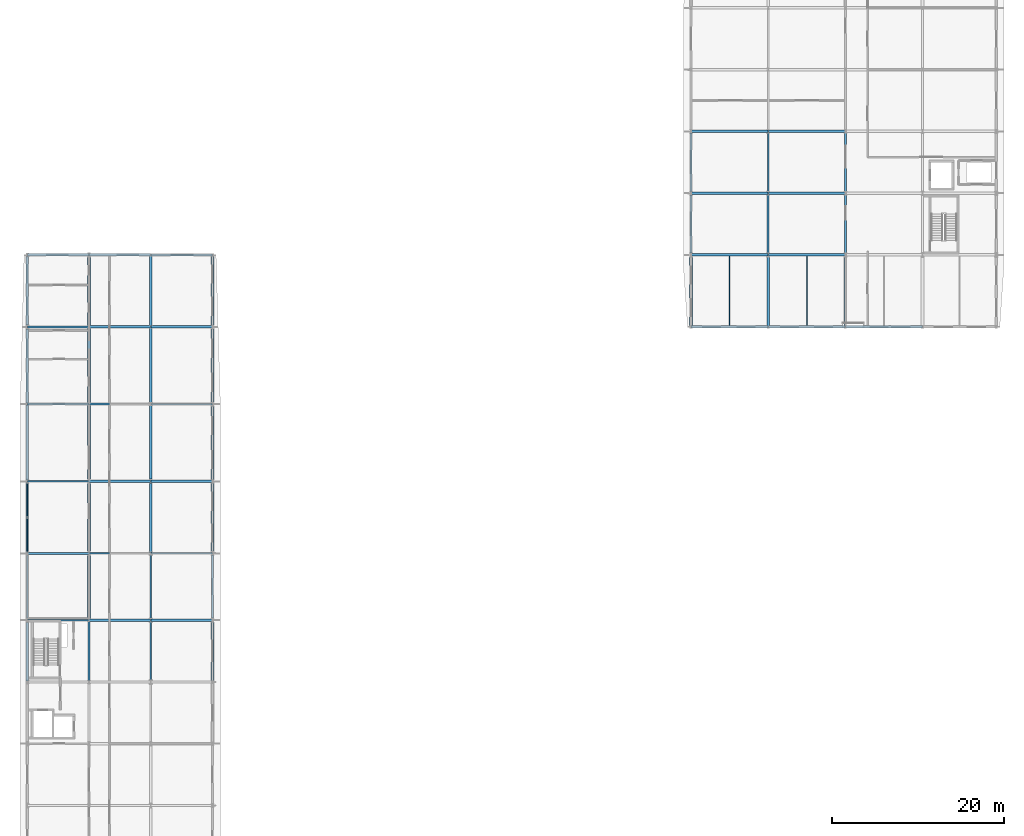
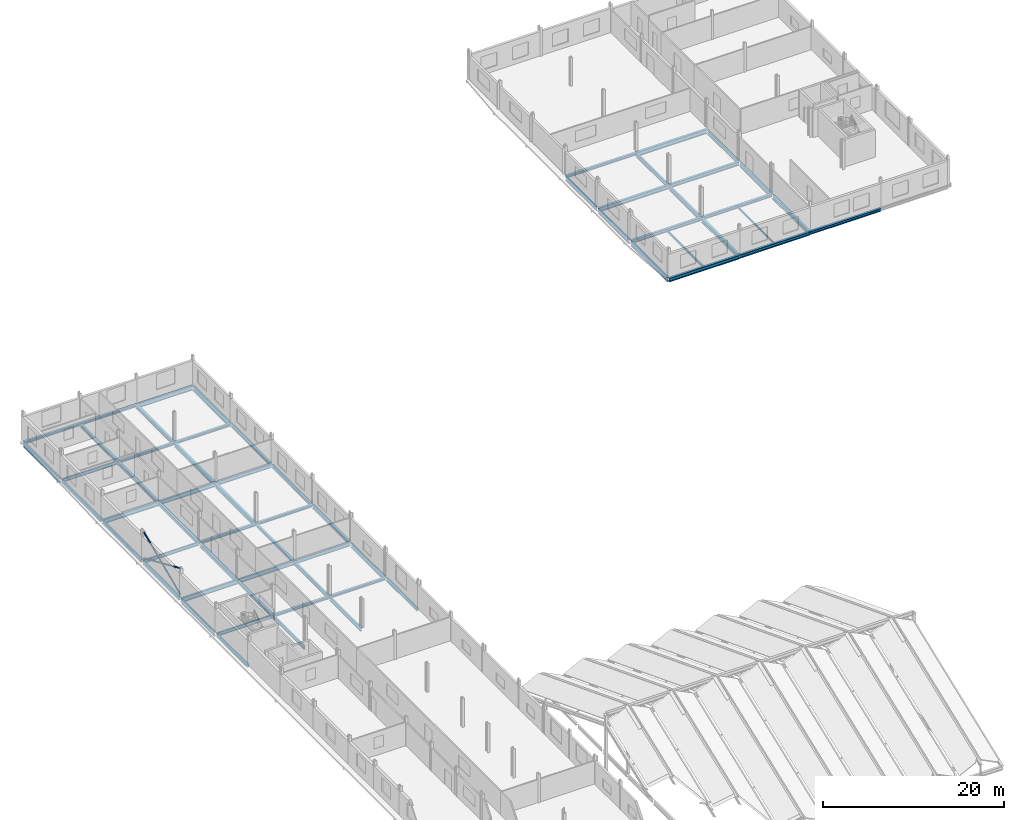
# One storey, part 24 of 49: 62 beams, 3 members.
"""IFC4 building model written with IfcOpenShell, lengths in metres."""

from ifc_helpers import new_model, si_unit, direction, frame, origin, origin_2d, place, context, subcontext, project, spatial, hollow_circle, i_section, extrude, material, material_profile, profile_set, type_object, element, save


model = new_model("IFC4")

# Units and contexts
model_context = context("Model", 3, precision=1e-05, world=origin(), true_north=direction((0.0, 1.0)))
body_context = subcontext(model_context, "Body", "Model", "MODEL_VIEW")
ifc_project = project(units=[si_unit("LENGTHUNIT", "METRE"), si_unit("AREAUNIT", "SQUARE_METRE"), si_unit("VOLUMEUNIT", "CUBIC_METRE"), si_unit("PLANEANGLEUNIT", "RADIAN"), si_unit("MASSUNIT", "GRAM", prefix="KILO")], contexts=[model_context])

# Site, building, storey
site_placement = place(None, origin())
site = spatial("IfcSite", under=ifc_project, at=site_placement, CompositionType="ELEMENT")
building_placement = place(site_placement, origin())
building = spatial("IfcBuilding", under=site, at=building_placement, Name="Vinh Khe Railworks Police Headquarters", CompositionType="ELEMENT")
storey_placement = place(building_placement, frame((0.0, 0.0, 17.10009765625)))
storey = spatial("IfcBuildingStorey", under=building, at=storey_placement, Name="L04", CompositionType="ELEMENT", Elevation=17.10009765625)

# Members
ifc_material = material(Name="Steel S355JR", Category="steel")
ifc_material_profile_1 = material_profile(ifc_material, hollow_circle(Radius=0.096923828125, WallThickness=0.010009765625, at=origin_2d()), Name="CHS 193.7x10")
ifc_profile_set_1 = profile_set([ifc_material_profile_1], Name="Steel S355JR")
member_type = type_object("IfcMemberType", Name="Concentric Brace CHS 193.7x10", PredefinedType="BRACE", material=ifc_profile_set_1)
member_placement = place(storey_placement, frame((0.60009765625, 96.14990234375, 0.199951171875), z_axis=(0.0, 0.916524501714, 0.399978546623), x_axis=(-1.0, 0.0, 0.0)))
element("IfcMember", 1, at=member_placement, inside=storey, type_object=member_type, Name="Continuous Concentric Brace MEM-BR-L04-BR-11-037", PredefinedType="BRACE", context=body_context, shape_type="SweptSolid", body=[
    extrude(hollow_circle(Radius=0.096923828125, WallThickness=0.010009765625, at=origin_2d()), origin(), (0.0, 0.0, 1.0), 8.75048828125),
])
for number, where, z_axis, x_axis, name in (
    (2, (0.60009765625, 96.14990234375, 3.699951171875), (0.0, 0.916525293333, -0.399976732674), (-1.0, 0.0, 0.0), "Split X-Brace Segment MEM-BR-L04-BR-11-038 (2A)"),
    (3, (0.60009765625, 100.252197265625, 1.90966796875), (0.0, 0.916525293333, -0.399976732674), (-1.0, 0.0, 0.0), "Split X-Brace Segment MEM-BR-L04-BR-11-039 (2B)"),
):
    element("IfcMember", number, at=place(storey_placement, frame(where, z_axis=z_axis, x_axis=x_axis)), inside=storey, type_object=member_type, Name=name, PredefinedType="BRACE", context=body_context, shape_type="SweptSolid", body=[
        extrude(hollow_circle(Radius=0.096923828125, WallThickness=0.010009765625, at=origin_2d()), origin(), (0.0, 0.0, 1.0), 4.274658203125),
    ])

# Beams
ifc_material_profile_2 = material_profile(ifc_material, i_section(OverallWidth=0.1201171875, OverallDepth=0.239990234375, WebThickness=0.006103515625, FlangeThickness=0.009765625, FilletRadius=0.014892578125, at=origin_2d()), Name="IPE 240")
ifc_profile_set_2 = profile_set([ifc_material_profile_2], Name="Steel S355JR")
beam_type_1 = type_object("IfcBeamType", Name="Secondary Joist IPE 240", PredefinedType="JOIST", material=ifc_profile_set_2)
beam_1_placement = place(storey_placement, frame((91.5, 122.550048828125, -0.320068359375), z_axis=(0.0, 1.0, 0.0), x_axis=(-1.0, 0.0, 0.0)))
element("IfcBeam", 4, at=beam_1_placement, inside=storey, type_object=beam_type_1, Name="Secondary Joist JST-L04-SJ-04-0038", PredefinedType="JOIST", context=body_context, shape_type="SweptSolid", body=[
    extrude(i_section(OverallWidth=0.1201171875, OverallDepth=0.239990234375, WebThickness=0.006103515625, FlangeThickness=0.009765625, FilletRadius=0.014892578125, at=origin_2d()), origin(), (0.0, 0.0, 1.0), 8.099853515625),
])
ifc_material_profile_3 = material_profile(ifc_material, i_section(OverallWidth=0.14990234375, OverallDepth=0.300048828125, WebThickness=0.007080078125, FlangeThickness=0.0107421875, FilletRadius=0.014892578125, at=origin_2d()), Name="IPE 300")
ifc_profile_set_3 = profile_set([ifc_material_profile_3], Name="Steel S355JR")
beam_type_2 = type_object("IfcBeamType", Name="Secondary Joist IPE 300", PredefinedType="JOIST", material=ifc_profile_set_3)
beam_2_placement = place(storey_placement, frame((82.5, 122.550048828125, -0.35009765625), z_axis=(0.0, 1.0, 0.0), x_axis=(-1.0, 0.0, 0.0)))
element("IfcBeam", 5, at=beam_2_placement, inside=storey, type_object=beam_type_2, Name="Secondary Joist JST-L04-SJ-02-0037", PredefinedType="JOIST", context=body_context, shape_type="SweptSolid", body=[
    extrude(i_section(OverallWidth=0.14990234375, OverallDepth=0.300048828125, WebThickness=0.007080078125, FlangeThickness=0.0107421875, FilletRadius=0.014892578125, at=origin_2d()), origin(), (0.0, 0.0, 1.0), 8.099853515625),
])
ifc_material_profile_4 = material_profile(ifc_material, i_section(OverallWidth=0.300048828125, OverallDepth=0.330078125, WebThickness=0.009521484375, FlangeThickness=0.0166015625, FilletRadius=0.027099609375, at=origin_2d()), Name="HEA 340")
ifc_profile_set_4 = profile_set([ifc_material_profile_4], Name="Steel S355JR")
beam_type_3 = type_object("IfcBeamType", Name="Steel Girder HEA 340", PredefinedType="BEAM", material=ifc_profile_set_4)
for number, where, z_axis, x_axis, name in (
    (6, (15.02001953125, 88.199951171875, -0.364990234375), (1.0, 0.0, 0.0), (0.0, 1.0, 0.0), "Girder BM-L04-EW-SB-16-1328"),
    (7, (15.02001953125, 104.39990234375, -0.364990234375), (1.0, 0.0, 0.0), (0.0, 1.0, 0.0), "Girder BM-L04-EW-SB-16-1334"),
    (8, (15.02001953125, 122.39990234375, -0.364990234375), (1.0, 0.0, 0.0), (0.0, 1.0, 0.0), "Girder BM-L04-EW-SB-16-1340"),
    (9, (7.820068359375, 130.800048828125, -0.364990234375), (1.0, 0.0, 0.0), (0.0, 1.0, 0.0), "Girder BM-L04-EW-SB-16-1346"),
):
    element("IfcBeam", number, at=place(storey_placement, frame(where, z_axis=z_axis, x_axis=x_axis)), inside=storey, type_object=beam_type_3, Name=name, PredefinedType="BEAM", context=body_context, shape_type="SweptSolid", body=[
        extrude(i_section(OverallWidth=0.300048828125, OverallDepth=0.330078125, WebThickness=0.009521484375, FlangeThickness=0.0166015625, FilletRadius=0.027099609375, at=origin_2d()), origin(), (0.0, 0.0, 1.0), 7.159912109375),
    ])
beam_3_placement = place(storey_placement, frame((0.60009765625, 81.125, -0.364990234375), z_axis=(0.0, 1.0, 0.0), x_axis=(-1.0, 0.0, 0.0)))
element("IfcBeam", 10, at=beam_3_placement, inside=storey, type_object=beam_type_3, Name="Girder BM-L04-NS-SB-16-1382", PredefinedType="BEAM", context=body_context, shape_type="SweptSolid", body=[
    extrude(i_section(OverallWidth=0.300048828125, OverallDepth=0.330078125, WebThickness=0.009521484375, FlangeThickness=0.0166015625, FilletRadius=0.027099609375, at=origin_2d()), origin(), (0.0, 0.0, 1.0), 6.794921875),
])
beam_4_placement = place(storey_placement, frame((22.199951171875, 81.14990234375, -0.364990234375), z_axis=(0.0, 1.0, 0.0), x_axis=(-1.0, 0.0, 0.0)))
element("IfcBeam", 11, at=beam_4_placement, inside=storey, type_object=beam_type_3, Name="Girder BM-L04-NS-SB-16-1430", PredefinedType="BEAM", context=body_context, shape_type="SweptSolid", body=[
    extrude(i_section(OverallWidth=0.300048828125, OverallDepth=0.330078125, WebThickness=0.009521484375, FlangeThickness=0.0166015625, FilletRadius=0.027099609375, at=origin_2d()), origin(), (0.0, 0.0, 1.0), 6.820068359375),
])
ifc_material_profile_5 = material_profile(ifc_material, i_section(OverallWidth=0.300048828125, OverallDepth=0.35009765625, WebThickness=0.010009765625, FlangeThickness=0.017578125, FilletRadius=0.027099609375, at=origin_2d()), Name="HEA 360")
ifc_profile_set_5 = profile_set([ifc_material_profile_5], Name="Steel S355JR")
beam_type_4 = type_object("IfcBeamType", Name="Steel Girder HEA 360", PredefinedType="BEAM", material=ifc_profile_set_5)
for number, where, z_axis, x_axis, name in (
    (12, (7.820068359375, 88.199951171875, -0.375), (1.0, 0.0, 0.0), (0.0, 1.0, 0.0), "Girder BM-L04-EW-SB-15-1327"),
    (13, (7.820068359375, 104.39990234375, -0.375), (1.0, 0.0, 0.0), (0.0, 1.0, 0.0), "Girder BM-L04-EW-SB-15-1333"),
    (14, (7.820068359375, 122.39990234375, -0.375), (1.0, 0.0, 0.0), (0.0, 1.0, 0.0), "Girder BM-L04-EW-SB-15-1339"),
    (15, (0.6201171875, 130.800048828125, -0.375), (1.0, 0.0, 0.0), (0.0, 1.0, 0.0), "Girder BM-L04-EW-SB-15-1345"),
):
    element("IfcBeam", number, at=place(storey_placement, frame(where, z_axis=z_axis, x_axis=x_axis)), inside=storey, type_object=beam_type_4, Name=name, PredefinedType="BEAM", context=body_context, shape_type="SweptSolid", body=[
        extrude(i_section(OverallWidth=0.300048828125, OverallDepth=0.35009765625, WebThickness=0.010009765625, FlangeThickness=0.017578125, FilletRadius=0.027099609375, at=origin_2d()), origin(), (0.0, 0.0, 1.0), 7.159912109375),
    ])
beam_5_placement = place(storey_placement, frame((78.02001953125, 145.199951171875, -0.375), z_axis=(1.0, 0.0, 0.0), x_axis=(0.0, 1.0, 0.0)))
element("IfcBeam", 16, at=beam_5_placement, inside=storey, type_object=beam_type_4, Name="Girder BM-L04-EW-SB-15-1356", PredefinedType="BEAM", context=body_context, shape_type="SweptSolid", body=[
    extrude(i_section(OverallWidth=0.300048828125, OverallDepth=0.35009765625, WebThickness=0.010009765625, FlangeThickness=0.017578125, FilletRadius=0.027099609375, at=origin_2d()), origin(), (0.0, 0.0, 1.0), 8.9599609375),
])
beam_6_placement = place(storey_placement, frame((0.60009765625, 113.510009765625, -0.375), z_axis=(0.0, 1.0, 0.0), x_axis=(-1.0, 0.0, 0.0)))
element("IfcBeam", 17, at=beam_6_placement, inside=storey, type_object=beam_type_4, Name="Girder BM-L04-NS-SB-15-1386", PredefinedType="BEAM", context=body_context, shape_type="SweptSolid", body=[
    extrude(i_section(OverallWidth=0.300048828125, OverallDepth=0.35009765625, WebThickness=0.010009765625, FlangeThickness=0.017578125, FilletRadius=0.027099609375, at=origin_2d()), origin(), (0.0, 0.0, 1.0), 8.6650390625),
])
beam_7_placement = place(storey_placement, frame((7.800048828125, 88.324951171875, -0.375), z_axis=(0.0, 1.0, 0.0), x_axis=(-1.0, 0.0, 0.0)))
element("IfcBeam", 18, at=beam_7_placement, inside=storey, type_object=beam_type_4, Name="Girder BM-L04-NS-SB-15-1399", PredefinedType="BEAM", context=body_context, shape_type="SweptSolid", body=[
    extrude(i_section(OverallWidth=0.300048828125, OverallDepth=0.35009765625, WebThickness=0.010009765625, FlangeThickness=0.017578125, FilletRadius=0.027099609375, at=origin_2d()), origin(), (0.0, 0.0, 1.0), 7.39501953125),
])
beam_8_placement = place(storey_placement, frame((15.0, 96.125, -0.375), z_axis=(0.0, 1.0, 0.0), x_axis=(-1.0, 0.0, 0.0)))
element("IfcBeam", 19, at=beam_8_placement, inside=storey, type_object=beam_type_4, Name="Girder BM-L04-NS-SB-15-1416", PredefinedType="BEAM", context=body_context, shape_type="SweptSolid", body=[
    extrude(i_section(OverallWidth=0.300048828125, OverallDepth=0.35009765625, WebThickness=0.010009765625, FlangeThickness=0.017578125, FilletRadius=0.027099609375, at=origin_2d()), origin(), (0.0, 0.0, 1.0), 7.9951171875),
])
beam_9_placement = place(storey_placement, frame((22.199951171875, 113.60009765625, -0.375), z_axis=(0.0, 1.0, 0.0), x_axis=(-1.0, 0.0, 0.0)))
element("IfcBeam", 20, at=beam_9_placement, inside=storey, type_object=beam_type_4, Name="Girder BM-L04-NS-SB-15-1434", PredefinedType="BEAM", context=body_context, shape_type="SweptSolid", body=[
    extrude(i_section(OverallWidth=0.300048828125, OverallDepth=0.35009765625, WebThickness=0.010009765625, FlangeThickness=0.017578125, FilletRadius=0.027099609375, at=origin_2d()), origin(), (0.0, 0.0, 1.0), 8.625),
])
ifc_material_profile_6 = material_profile(ifc_material, i_section(OverallWidth=0.300048828125, OverallDepth=0.389892578125, WebThickness=0.010986328125, FlangeThickness=0.01904296875, FilletRadius=0.027099609375, at=origin_2d()), Name="HEA 400")
ifc_profile_set_6 = profile_set([ifc_material_profile_6], Name="Steel S355JR")
beam_type_5 = type_object("IfcBeamType", Name="Steel Girder HEA 400", PredefinedType="BEAM", material=ifc_profile_set_6)
for number, where, z_axis, x_axis, name in (
    (21, (96.02001953125, 122.39990234375, -0.39501953125), (1.0, 0.0, 0.0), (0.0, 1.0, 0.0), "Girder BM-L04-EW-SB-14-1343"),
    (22, (87.02001953125, 130.800048828125, -0.39501953125), (1.0, 0.0, 0.0), (0.0, 1.0, 0.0), "Girder BM-L04-EW-SB-14-1349"),
):
    element("IfcBeam", number, at=place(storey_placement, frame(where, z_axis=z_axis, x_axis=x_axis)), inside=storey, type_object=beam_type_5, Name=name, PredefinedType="BEAM", context=body_context, shape_type="SweptSolid", body=[
        extrude(i_section(OverallWidth=0.300048828125, OverallDepth=0.389892578125, WebThickness=0.010986328125, FlangeThickness=0.01904296875, FilletRadius=0.027099609375, at=origin_2d()), origin(), (0.0, 0.0, 1.0), 8.9599609375),
    ])
beam_10_placement = place(storey_placement, frame((0.60009765625, 104.550048828125, -0.39501953125), z_axis=(0.0, 1.0, 0.0), x_axis=(-1.0, 0.0, 0.0)))
element("IfcBeam", 23, at=beam_10_placement, inside=storey, type_object=beam_type_5, Name="Girder BM-L04-NS-SB-14-1385", PredefinedType="BEAM", context=body_context, shape_type="SweptSolid", body=[
    extrude(i_section(OverallWidth=0.300048828125, OverallDepth=0.389892578125, WebThickness=0.010986328125, FlangeThickness=0.01904296875, FilletRadius=0.027099609375, at=origin_2d()), origin(), (0.0, 0.0, 1.0), 8.739990234375),
])
beam_11_placement = place(storey_placement, frame((7.800048828125, 122.510009765625, -0.39501953125), z_axis=(0.0, 1.0, 0.0), x_axis=(-1.0, 0.0, 0.0)))
element("IfcBeam", 24, at=beam_11_placement, inside=storey, type_object=beam_type_5, Name="Girder BM-L04-NS-SB-14-1403", PredefinedType="BEAM", context=body_context, shape_type="SweptSolid", body=[
    extrude(i_section(OverallWidth=0.300048828125, OverallDepth=0.389892578125, WebThickness=0.010986328125, FlangeThickness=0.01904296875, FilletRadius=0.027099609375, at=origin_2d()), origin(), (0.0, 0.0, 1.0), 8.06494140625),
])
beam_12_placement = place(storey_placement, frame((22.199951171875, 104.580078125, -0.39501953125), z_axis=(0.0, 1.0, 0.0), x_axis=(-1.0, 0.0, 0.0)))
element("IfcBeam", 25, at=beam_12_placement, inside=storey, type_object=beam_type_5, Name="Girder BM-L04-NS-SB-14-1433", PredefinedType="BEAM", context=body_context, shape_type="SweptSolid", body=[
    extrude(i_section(OverallWidth=0.300048828125, OverallDepth=0.389892578125, WebThickness=0.010986328125, FlangeThickness=0.01904296875, FilletRadius=0.027099609375, at=origin_2d()), origin(), (0.0, 0.0, 1.0), 8.619873046875),
])
ifc_material_profile_7 = material_profile(ifc_material, i_section(OverallWidth=0.300048828125, OverallDepth=0.43994140625, WebThickness=0.011474609375, FlangeThickness=0.02099609375, FilletRadius=0.027099609375, at=origin_2d()), Name="HEA 450")
ifc_profile_set_7 = profile_set([ifc_material_profile_7], Name="Steel S355JR")
beam_type_6 = type_object("IfcBeamType", Name="Steel Girder HEA 450", PredefinedType="BEAM", material=ifc_profile_set_7)
for number, where, z_axis, x_axis, name in (
    (26, (87.02001953125, 122.39990234375, -0.420166015625), (1.0, 0.0, 0.0), (0.0, 1.0, 0.0), "Girder BM-L04-EW-SB-13-1342"),
    (27, (78.02001953125, 130.800048828125, -0.420166015625), (1.0, 0.0, 0.0), (0.0, 1.0, 0.0), "Girder BM-L04-EW-SB-13-1348"),
):
    element("IfcBeam", number, at=place(storey_placement, frame(where, z_axis=z_axis, x_axis=x_axis)), inside=storey, type_object=beam_type_6, Name=name, PredefinedType="BEAM", context=body_context, shape_type="SweptSolid", body=[
        extrude(i_section(OverallWidth=0.300048828125, OverallDepth=0.43994140625, WebThickness=0.011474609375, FlangeThickness=0.02099609375, FilletRadius=0.027099609375, at=origin_2d()), origin(), (0.0, 0.0, 1.0), 8.9599609375),
    ])
beam_13_placement = place(storey_placement, frame((0.60009765625, 96.2548828125, -0.420166015625), z_axis=(0.0, 1.0, 0.0), x_axis=(-1.0, 0.0, 0.0)))
element("IfcBeam", 28, at=beam_13_placement, inside=storey, type_object=beam_type_6, Name="Girder BM-L04-NS-SB-13-1384", PredefinedType="BEAM", context=body_context, shape_type="SweptSolid", body=[
    extrude(i_section(OverallWidth=0.300048828125, OverallDepth=0.43994140625, WebThickness=0.011474609375, FlangeThickness=0.02099609375, FilletRadius=0.027099609375, at=origin_2d()), origin(), (0.0, 0.0, 1.0), 7.9951171875),
])
beam_14_placement = place(storey_placement, frame((7.800048828125, 113.530029296875, -0.420166015625), z_axis=(0.0, 1.0, 0.0), x_axis=(-1.0, 0.0, 0.0)))
element("IfcBeam", 29, at=beam_14_placement, inside=storey, type_object=beam_type_6, Name="Girder BM-L04-NS-SB-13-1402", PredefinedType="BEAM", context=body_context, shape_type="SweptSolid", body=[
    extrude(i_section(OverallWidth=0.300048828125, OverallDepth=0.43994140625, WebThickness=0.011474609375, FlangeThickness=0.02099609375, FilletRadius=0.027099609375, at=origin_2d()), origin(), (0.0, 0.0, 1.0), 8.760009765625),
])
beam_15_placement = place(storey_placement, frame((22.199951171875, 96.205078125, -0.420166015625), z_axis=(0.0, 1.0, 0.0), x_axis=(-1.0, 0.0, 0.0)))
element("IfcBeam", 30, at=beam_15_placement, inside=storey, type_object=beam_type_6, Name="Girder BM-L04-NS-SB-13-1432", PredefinedType="BEAM", context=body_context, shape_type="SweptSolid", body=[
    extrude(i_section(OverallWidth=0.300048828125, OverallDepth=0.43994140625, WebThickness=0.011474609375, FlangeThickness=0.02099609375, FilletRadius=0.027099609375, at=origin_2d()), origin(), (0.0, 0.0, 1.0), 8.014892578125),
])
ifc_material_profile_8 = material_profile(ifc_material, i_section(OverallWidth=0.300048828125, OverallDepth=0.489990234375, WebThickness=0.011962890625, FlangeThickness=0.02294921875, FilletRadius=0.027099609375, at=origin_2d()), Name="HEA 500")
ifc_profile_set_8 = profile_set([ifc_material_profile_8], Name="Steel S355JR")
beam_type_7 = type_object("IfcBeamType", Name="Steel Girder HEA 500", PredefinedType="BEAM", material=ifc_profile_set_8)
for number, where, z_axis, x_axis, name in (
    (31, (78.02001953125, 122.39990234375, -0.445068359375), (1.0, 0.0, 0.0), (0.0, 1.0, 0.0), "Girder BM-L04-EW-SB-12-1341"),
    (32, (87.02001953125, 138.0, -0.445068359375), (1.0, 0.0, 0.0), (0.0, 1.0, 0.0), "Girder BM-L04-EW-SB-12-1353"),
):
    element("IfcBeam", number, at=place(storey_placement, frame(where, z_axis=z_axis, x_axis=x_axis)), inside=storey, type_object=beam_type_7, Name=name, PredefinedType="BEAM", context=body_context, shape_type="SweptSolid", body=[
        extrude(i_section(OverallWidth=0.300048828125, OverallDepth=0.489990234375, WebThickness=0.011962890625, FlangeThickness=0.02294921875, FilletRadius=0.027099609375, at=origin_2d()), origin(), (0.0, 0.0, 1.0), 8.9599609375),
    ])
beam_16_placement = place(storey_placement, frame((7.800048828125, 104.655029296875, -0.445068359375), z_axis=(0.0, 1.0, 0.0), x_axis=(-1.0, 0.0, 0.0)))
element("IfcBeam", 33, at=beam_16_placement, inside=storey, type_object=beam_type_7, Name="Girder BM-L04-NS-SB-12-1401", PredefinedType="BEAM", context=body_context, shape_type="SweptSolid", body=[
    extrude(i_section(OverallWidth=0.300048828125, OverallDepth=0.489990234375, WebThickness=0.011962890625, FlangeThickness=0.02294921875, FilletRadius=0.027099609375, at=origin_2d()), origin(), (0.0, 0.0, 1.0), 8.614990234375),
])
beam_17_placement = place(storey_placement, frame((15.0, 122.530029296875, -0.445068359375), z_axis=(0.0, 1.0, 0.0), x_axis=(-1.0, 0.0, 0.0)))
element("IfcBeam", 34, at=beam_17_placement, inside=storey, type_object=beam_type_7, Name="Girder BM-L04-NS-SB-12-1419", PredefinedType="BEAM", context=body_context, shape_type="SweptSolid", body=[
    extrude(i_section(OverallWidth=0.300048828125, OverallDepth=0.489990234375, WebThickness=0.011962890625, FlangeThickness=0.02294921875, FilletRadius=0.027099609375, at=origin_2d()), origin(), (0.0, 0.0, 1.0), 8.159912109375),
])
ifc_material_profile_9 = material_profile(ifc_material, i_section(OverallWidth=0.300048828125, OverallDepth=0.5400390625, WebThickness=0.012451171875, FlangeThickness=0.02392578125, FilletRadius=0.027099609375, at=origin_2d()), Name="HEA 550")
ifc_profile_set_9 = profile_set([ifc_material_profile_9], Name="Steel S355JR")
beam_type_8 = type_object("IfcBeamType", Name="Steel Girder HEA 550", PredefinedType="BEAM", material=ifc_profile_set_9)
beam_18_placement = place(storey_placement, frame((78.02001953125, 138.0, -0.47021484375), z_axis=(1.0, 0.0, 0.0), x_axis=(0.0, 1.0, 0.0)))
element("IfcBeam", 35, at=beam_18_placement, inside=storey, type_object=beam_type_8, Name="Girder BM-L04-EW-SB-11-1352", PredefinedType="BEAM", context=body_context, shape_type="SweptSolid", body=[
    extrude(i_section(OverallWidth=0.300048828125, OverallDepth=0.5400390625, WebThickness=0.012451171875, FlangeThickness=0.02392578125, FilletRadius=0.027099609375, at=origin_2d()), origin(), (0.0, 0.0, 1.0), 8.9599609375),
])
beam_19_placement = place(storey_placement, frame((7.800048828125, 96.280029296875, -0.47021484375), z_axis=(0.0, 1.0, 0.0), x_axis=(-1.0, 0.0, 0.0)))
element("IfcBeam", 36, at=beam_19_placement, inside=storey, type_object=beam_type_8, Name="Girder BM-L04-NS-SB-11-1400", PredefinedType="BEAM", context=body_context, shape_type="SweptSolid", body=[
    extrude(i_section(OverallWidth=0.300048828125, OverallDepth=0.5400390625, WebThickness=0.012451171875, FlangeThickness=0.02392578125, FilletRadius=0.027099609375, at=origin_2d()), origin(), (0.0, 0.0, 1.0), 7.864990234375),
])
beam_20_placement = place(storey_placement, frame((15.0, 113.574951171875, -0.47021484375), z_axis=(0.0, 1.0, 0.0), x_axis=(-1.0, 0.0, 0.0)))
element("IfcBeam", 37, at=beam_20_placement, inside=storey, type_object=beam_type_8, Name="Girder BM-L04-NS-SB-11-1418", PredefinedType="BEAM", context=body_context, shape_type="SweptSolid", body=[
    extrude(i_section(OverallWidth=0.300048828125, OverallDepth=0.5400390625, WebThickness=0.012451171875, FlangeThickness=0.02392578125, FilletRadius=0.027099609375, at=origin_2d()), origin(), (0.0, 0.0, 1.0), 8.695068359375),
])
for number, where, z_axis, x_axis, name in (
    (38, (78.0, 122.510009765625, -0.47021484375), (0.0, 1.0, 0.0), (-1.0, 0.0, 0.0), "Girder BM-L04-NS-SB-11-1448"),
    (39, (87.0, 122.510009765625, -0.47021484375), (0.0, 1.0, 0.0), (-1.0, 0.0, 0.0), "Girder BM-L04-NS-SB-11-1454"),
    (40, (96.0, 122.510009765625, -0.47021484375), (0.0, 1.0, 0.0), (-1.0, 0.0, 0.0), "Girder BM-L04-NS-SB-11-1460"),
):
    element("IfcBeam", number, at=place(storey_placement, frame(where, z_axis=z_axis, x_axis=x_axis)), inside=storey, type_object=beam_type_8, Name=name, PredefinedType="BEAM", context=body_context, shape_type="SweptSolid", body=[
        extrude(i_section(OverallWidth=0.300048828125, OverallDepth=0.5400390625, WebThickness=0.012451171875, FlangeThickness=0.02392578125, FilletRadius=0.027099609375, at=origin_2d()), origin(), (0.0, 0.0, 1.0), 8.06494140625),
    ])
ifc_material_profile_10 = material_profile(ifc_material, i_section(OverallWidth=0.300048828125, OverallDepth=0.590087890625, WebThickness=0.012939453125, FlangeThickness=0.02490234375, FilletRadius=0.027099609375, at=origin_2d()), Name="HEA 600")
ifc_profile_set_10 = profile_set([ifc_material_profile_10], Name="Steel S355JR")
beam_type_9 = type_object("IfcBeamType", Name="Steel Girder HEA 600", PredefinedType="BEAM", material=ifc_profile_set_10)
beam_21_placement = place(storey_placement, frame((87.02001953125, 145.199951171875, -0.4951171875), z_axis=(1.0, 0.0, 0.0), x_axis=(0.0, 1.0, 0.0)))
element("IfcBeam", 41, at=beam_21_placement, inside=storey, type_object=beam_type_9, Name="Girder BM-L04-EW-SB-10-1357", PredefinedType="BEAM", context=body_context, shape_type="SweptSolid", body=[
    extrude(i_section(OverallWidth=0.300048828125, OverallDepth=0.590087890625, WebThickness=0.012939453125, FlangeThickness=0.02490234375, FilletRadius=0.027099609375, at=origin_2d()), origin(), (0.0, 0.0, 1.0), 8.9599609375),
])
beam_22_placement = place(storey_placement, frame((0.60009765625, 122.625, -0.4951171875), z_axis=(0.0, 1.0, 0.0), x_axis=(-1.0, 0.0, 0.0)))
element("IfcBeam", 42, at=beam_22_placement, inside=storey, type_object=beam_type_9, Name="Girder BM-L04-NS-SB-10-1387", PredefinedType="BEAM", context=body_context, shape_type="SweptSolid", body=[
    extrude(i_section(OverallWidth=0.300048828125, OverallDepth=0.590087890625, WebThickness=0.012939453125, FlangeThickness=0.02490234375, FilletRadius=0.027099609375, at=origin_2d()), origin(), (0.0, 0.0, 1.0), 7.97509765625),
])
beam_23_placement = place(storey_placement, frame((15.0, 104.679931640625, -0.4951171875), z_axis=(0.0, 1.0, 0.0), x_axis=(-1.0, 0.0, 0.0)))
element("IfcBeam", 43, at=beam_23_placement, inside=storey, type_object=beam_type_9, Name="Girder BM-L04-NS-SB-10-1417", PredefinedType="BEAM", context=body_context, shape_type="SweptSolid", body=[
    extrude(i_section(OverallWidth=0.300048828125, OverallDepth=0.590087890625, WebThickness=0.012939453125, FlangeThickness=0.02490234375, FilletRadius=0.027099609375, at=origin_2d()), origin(), (0.0, 0.0, 1.0), 8.545166015625),
])
beam_24_placement = place(storey_placement, frame((22.199951171875, 122.574951171875, -0.4951171875), z_axis=(0.0, 1.0, 0.0), x_axis=(-1.0, 0.0, 0.0)))
element("IfcBeam", 44, at=beam_24_placement, inside=storey, type_object=beam_type_9, Name="Girder BM-L04-NS-SB-10-1435", PredefinedType="BEAM", context=body_context, shape_type="SweptSolid", body=[
    extrude(i_section(OverallWidth=0.300048828125, OverallDepth=0.590087890625, WebThickness=0.012939453125, FlangeThickness=0.02490234375, FilletRadius=0.027099609375, at=origin_2d()), origin(), (0.0, 0.0, 1.0), 8.094970703125),
])
ifc_material_profile_11 = material_profile(ifc_material, i_section(OverallWidth=0.18994140625, OverallDepth=0.449951171875, WebThickness=0.009521484375, FlangeThickness=0.0146484375, FilletRadius=0.02099609375, at=origin_2d()), Name="IPE 450")
ifc_profile_set_11 = profile_set([ifc_material_profile_11], Name="Steel S355JR")
beam_type_10 = type_object("IfcBeamType", Name="Steel Girder IPE 450", PredefinedType="BEAM", material=ifc_profile_set_11)
for number, where, z_axis, x_axis, name in (
    (45, (0.6201171875, 88.199951171875, -0.425048828125), (1.0, 0.0, 0.0), (0.0, 1.0, 0.0), "Girder BM-L04-EW-SB-20-1326"),
    (46, (0.6201171875, 104.39990234375, -0.425048828125), (1.0, 0.0, 0.0), (0.0, 1.0, 0.0), "Girder BM-L04-EW-SB-20-1332"),
    (47, (0.6201171875, 122.39990234375, -0.425048828125), (1.0, 0.0, 0.0), (0.0, 1.0, 0.0), "Girder BM-L04-EW-SB-20-1338"),
):
    element("IfcBeam", number, at=place(storey_placement, frame(where, z_axis=z_axis, x_axis=x_axis)), inside=storey, type_object=beam_type_10, Name=name, PredefinedType="BEAM", context=body_context, shape_type="SweptSolid", body=[
        extrude(i_section(OverallWidth=0.18994140625, OverallDepth=0.449951171875, WebThickness=0.009521484375, FlangeThickness=0.0146484375, FilletRadius=0.02099609375, at=origin_2d()), origin(), (0.0, 0.0, 1.0), 7.159912109375),
    ])
beam_25_placement = place(storey_placement, frame((7.800048828125, 81.135009765625, -0.425048828125), z_axis=(0.0, 1.0, 0.0), x_axis=(-1.0, 0.0, 0.0)))
element("IfcBeam", 48, at=beam_25_placement, inside=storey, type_object=beam_type_10, Name="Girder BM-L04-NS-SB-20-1398", PredefinedType="BEAM", context=body_context, shape_type="SweptSolid", body=[
    extrude(i_section(OverallWidth=0.18994140625, OverallDepth=0.449951171875, WebThickness=0.009521484375, FlangeThickness=0.0146484375, FilletRadius=0.02099609375, at=origin_2d()), origin(), (0.0, 0.0, 1.0), 6.93994140625),
])
ifc_material_profile_12 = material_profile(ifc_material, i_section(OverallWidth=0.199951171875, OverallDepth=0.5, WebThickness=0.01025390625, FlangeThickness=0.01611328125, FilletRadius=0.02099609375, at=origin_2d()), Name="IPE 500")
ifc_profile_set_12 = profile_set([ifc_material_profile_12], Name="Steel S355JR")
beam_type_11 = type_object("IfcBeamType", Name="Steel Girder IPE 500", PredefinedType="BEAM", material=ifc_profile_set_12)
for number, where, z_axis, x_axis, name in (
    (49, (15.02001953125, 96.0, -0.4501953125), (1.0, 0.0, 0.0), (0.0, 1.0, 0.0), "Girder BM-L04-EW-SB-19-1331"),
    (50, (15.02001953125, 113.39990234375, -0.4501953125), (1.0, 0.0, 0.0), (0.0, 1.0, 0.0), "Girder BM-L04-EW-SB-19-1337"),
):
    element("IfcBeam", number, at=place(storey_placement, frame(where, z_axis=z_axis, x_axis=x_axis)), inside=storey, type_object=beam_type_11, Name=name, PredefinedType="BEAM", context=body_context, shape_type="SweptSolid", body=[
        extrude(i_section(OverallWidth=0.199951171875, OverallDepth=0.5, WebThickness=0.01025390625, FlangeThickness=0.01611328125, FilletRadius=0.02099609375, at=origin_2d()), origin(), (0.0, 0.0, 1.0), 7.159912109375),
    ])
beam_26_placement = place(storey_placement, frame((15.0, 88.3349609375, -0.4501953125), z_axis=(0.0, 1.0, 0.0), x_axis=(-1.0, 0.0, 0.0)))
element("IfcBeam", 51, at=beam_26_placement, inside=storey, type_object=beam_type_11, Name="Girder BM-L04-NS-SB-19-1415", PredefinedType="BEAM", context=body_context, shape_type="SweptSolid", body=[
    extrude(i_section(OverallWidth=0.199951171875, OverallDepth=0.5, WebThickness=0.01025390625, FlangeThickness=0.01611328125, FilletRadius=0.02099609375, at=origin_2d()), origin(), (0.0, 0.0, 1.0), 7.5400390625),
])
ifc_material_profile_13 = material_profile(ifc_material, i_section(OverallWidth=0.2099609375, OverallDepth=0.550048828125, WebThickness=0.010986328125, FlangeThickness=0.01708984375, FilletRadius=0.02392578125, at=origin_2d()), Name="IPE 550")
ifc_profile_set_13 = profile_set([ifc_material_profile_13], Name="Steel S355JR")
beam_type_12 = type_object("IfcBeamType", Name="Steel Girder IPE 550", PredefinedType="BEAM", material=ifc_profile_set_13)
for number, where, z_axis, x_axis, name in (
    (52, (7.820068359375, 96.0, -0.47509765625), (1.0, 0.0, 0.0), (0.0, 1.0, 0.0), "Girder BM-L04-EW-SB-18-1330"),
    (53, (7.820068359375, 113.39990234375, -0.47509765625), (1.0, 0.0, 0.0), (0.0, 1.0, 0.0), "Girder BM-L04-EW-SB-18-1336"),
):
    element("IfcBeam", number, at=place(storey_placement, frame(where, z_axis=z_axis, x_axis=x_axis)), inside=storey, type_object=beam_type_12, Name=name, PredefinedType="BEAM", context=body_context, shape_type="SweptSolid", body=[
        extrude(i_section(OverallWidth=0.2099609375, OverallDepth=0.550048828125, WebThickness=0.010986328125, FlangeThickness=0.01708984375, FilletRadius=0.02392578125, at=origin_2d()), origin(), (0.0, 0.0, 1.0), 7.159912109375),
    ])
beam_27_placement = place(storey_placement, frame((15.0, 81.14990234375, -0.47509765625), z_axis=(0.0, 1.0, 0.0), x_axis=(-1.0, 0.0, 0.0)))
element("IfcBeam", 54, at=beam_27_placement, inside=storey, type_object=beam_type_12, Name="Girder BM-L04-NS-SB-18-1414", PredefinedType="BEAM", context=body_context, shape_type="SweptSolid", body=[
    extrude(i_section(OverallWidth=0.2099609375, OverallDepth=0.550048828125, WebThickness=0.010986328125, FlangeThickness=0.01708984375, FilletRadius=0.02392578125, at=origin_2d()), origin(), (0.0, 0.0, 1.0), 6.9150390625),
])
for number, where, z_axis, x_axis, name in (
    (55, (78.0, 138.199951171875, -0.47509765625), (0.0, 1.0, 0.0), (-1.0, 0.0, 0.0), "Girder BM-L04-NS-SB-18-1450"),
    (56, (87.0, 138.199951171875, -0.47509765625), (0.0, 1.0, 0.0), (-1.0, 0.0, 0.0), "Girder BM-L04-NS-SB-18-1456"),
    (57, (96.0, 138.199951171875, -0.47509765625), (0.0, 1.0, 0.0), (-1.0, 0.0, 0.0), "Girder BM-L04-NS-SB-18-1462"),
):
    element("IfcBeam", number, at=place(storey_placement, frame(where, z_axis=z_axis, x_axis=x_axis)), inside=storey, type_object=beam_type_12, Name=name, PredefinedType="BEAM", context=body_context, shape_type="SweptSolid", body=[
        extrude(i_section(OverallWidth=0.2099609375, OverallDepth=0.550048828125, WebThickness=0.010986328125, FlangeThickness=0.01708984375, FilletRadius=0.02392578125, at=origin_2d()), origin(), (0.0, 0.0, 1.0), 6.824951171875),
    ])
ifc_material_profile_14 = material_profile(ifc_material, i_section(OverallWidth=0.219970703125, OverallDepth=0.60009765625, WebThickness=0.011962890625, FlangeThickness=0.01904296875, FilletRadius=0.02392578125, at=origin_2d()), Name="IPE 600")
ifc_profile_set_14 = profile_set([ifc_material_profile_14], Name="Steel S355JR")
beam_type_13 = type_object("IfcBeamType", Name="Steel Girder IPE 600", PredefinedType="BEAM", material=ifc_profile_set_14)
for number, where, z_axis, x_axis, name in (
    (58, (0.6201171875, 96.0, -0.5), (1.0, 0.0, 0.0), (0.0, 1.0, 0.0), "Girder BM-L04-EW-SB-17-1329"),
    (59, (0.6201171875, 113.39990234375, -0.5), (1.0, 0.0, 0.0), (0.0, 1.0, 0.0), "Girder BM-L04-EW-SB-17-1335"),
    (60, (15.02001953125, 130.800048828125, -0.5), (1.0, 0.0, 0.0), (0.0, 1.0, 0.0), "Girder BM-L04-EW-SB-17-1347"),
):
    element("IfcBeam", number, at=place(storey_placement, frame(where, z_axis=z_axis, x_axis=x_axis)), inside=storey, type_object=beam_type_13, Name=name, PredefinedType="BEAM", context=body_context, shape_type="SweptSolid", body=[
        extrude(i_section(OverallWidth=0.219970703125, OverallDepth=0.60009765625, WebThickness=0.011962890625, FlangeThickness=0.01904296875, FilletRadius=0.02392578125, at=origin_2d()), origin(), (0.0, 0.0, 1.0), 7.159912109375),
    ])
beam_28_placement = place(storey_placement, frame((0.60009765625, 88.47998046875, -0.5), z_axis=(0.0, 1.0, 0.0), x_axis=(-1.0, 0.0, 0.0)))
element("IfcBeam", 61, at=beam_28_placement, inside=storey, type_object=beam_type_13, Name="Girder BM-L04-NS-SB-17-1383", PredefinedType="BEAM", context=body_context, shape_type="SweptSolid", body=[
    extrude(i_section(OverallWidth=0.219970703125, OverallDepth=0.60009765625, WebThickness=0.011962890625, FlangeThickness=0.01904296875, FilletRadius=0.02392578125, at=origin_2d()), origin(), (0.0, 0.0, 1.0), 7.26513671875),
])
beam_29_placement = place(storey_placement, frame((22.199951171875, 88.429931640625, -0.5), z_axis=(0.0, 1.0, 0.0), x_axis=(-1.0, 0.0, 0.0)))
element("IfcBeam", 62, at=beam_29_placement, inside=storey, type_object=beam_type_13, Name="Girder BM-L04-NS-SB-17-1431", PredefinedType="BEAM", context=body_context, shape_type="SweptSolid", body=[
    extrude(i_section(OverallWidth=0.219970703125, OverallDepth=0.60009765625, WebThickness=0.011962890625, FlangeThickness=0.01904296875, FilletRadius=0.02392578125, at=origin_2d()), origin(), (0.0, 0.0, 1.0), 7.364990234375),
])
for number, where, z_axis, x_axis, name in (
    (63, (78.0, 131.02490234375, -0.5), (0.0, 1.0, 0.0), (-1.0, 0.0, 0.0), "Girder BM-L04-NS-SB-17-1449"),
    (64, (87.0, 131.02490234375, -0.5), (0.0, 1.0, 0.0), (-1.0, 0.0, 0.0), "Girder BM-L04-NS-SB-17-1455"),
    (65, (96.0, 131.02490234375, -0.5), (0.0, 1.0, 0.0), (-1.0, 0.0, 0.0), "Girder BM-L04-NS-SB-17-1461"),
):
    element("IfcBeam", number, at=place(storey_placement, frame(where, z_axis=z_axis, x_axis=x_axis)), inside=storey, type_object=beam_type_13, Name=name, PredefinedType="BEAM", context=body_context, shape_type="SweptSolid", body=[
        extrude(i_section(OverallWidth=0.219970703125, OverallDepth=0.60009765625, WebThickness=0.011962890625, FlangeThickness=0.01904296875, FilletRadius=0.02392578125, at=origin_2d()), origin(), (0.0, 0.0, 1.0), 6.775146484375),
    ])

save(model, "model.ifc")
